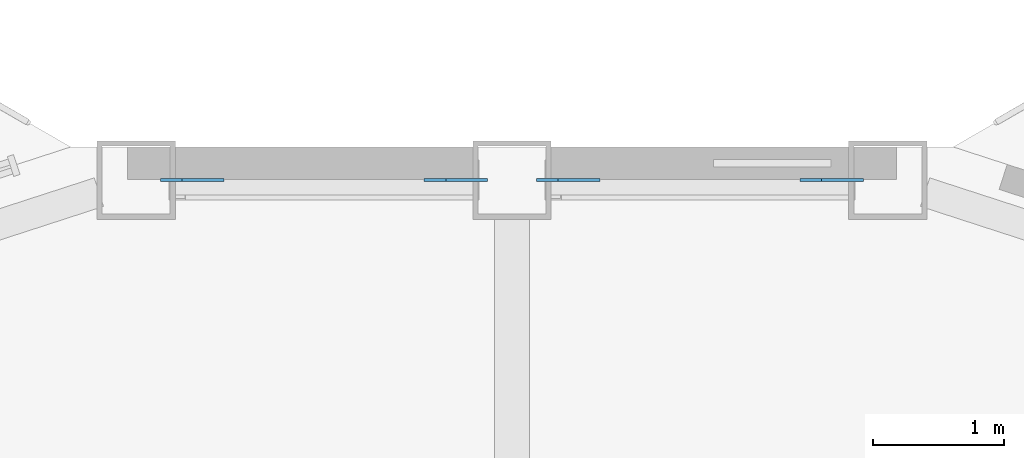
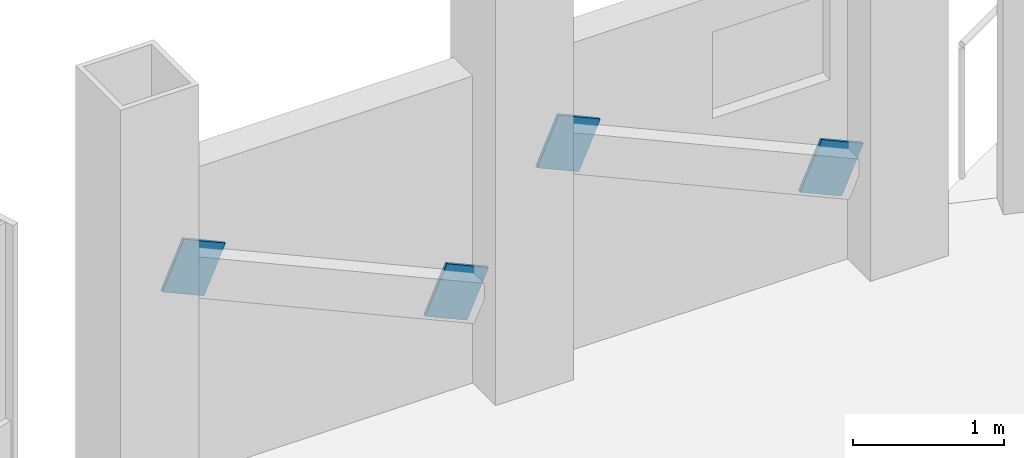
# One storey, part 22 of 27: 4 discrete accessories.
"""IFC4 building model written with IfcOpenShell, lengths in metres."""

from ifc_helpers import new_model, si_unit, direction, frame, origin, origin_2d, place, context, subcontext, project, spatial, rectangle, extrude, material, material_profile, profile_set, type_object, element, save


model = new_model("IFC4")

# Units and contexts
model_context = context("Model", 3, precision=1e-05, world=origin(), true_north=direction((0.0, 1.0)))
body_context = subcontext(model_context, "Body", "Model", "MODEL_VIEW")
ifc_project = project(units=[si_unit("LENGTHUNIT", "METRE"), si_unit("AREAUNIT", "SQUARE_METRE"), si_unit("VOLUMEUNIT", "CUBIC_METRE"), si_unit("PLANEANGLEUNIT", "RADIAN"), si_unit("MASSUNIT", "GRAM", prefix="KILO")], contexts=[model_context])

# Site, building, storey
site_placement = place(None, origin())
site = spatial("IfcSite", under=ifc_project, at=site_placement, CompositionType="ELEMENT")
building_placement = place(site_placement, origin())
building = spatial("IfcBuilding", under=site, at=building_placement, Name="Cormorant Prow Tower", CompositionType="ELEMENT")
storey_placement = place(building_placement, frame((0.0, 0.0, 318.800048828125)))
storey = spatial("IfcBuildingStorey", under=building, at=storey_placement, Name="L70", CompositionType="ELEMENT", Elevation=318.800048828125)

# Discrete accessories
ifc_material = material(Name="Structural steel ASTM A500 Gr C", Category="steel")
ifc_material_profile = material_profile(ifc_material, rectangle(XDim=0.02490234375, YDim=0.405029296875, at=origin_2d()), Name="Gusset plate 25x405")
ifc_profile_set = profile_set([ifc_material_profile], Name="Structural steel ASTM A500 Gr C")
discrete_accessory_type = type_object("IfcDiscreteAccessoryType", Name="Gusset plate 25x405", PredefinedType="BRACKET", material=ifc_profile_set)
for number, where, z_axis, x_axis, name in (
    (1, (2.28515625, 31.676025390625, 0.86376953125), (0.912599106234, 0.0, -0.408855562884), (0.0, 1.0, 0.0), "Gusset plate GP3 L70.N00.g0"),
    (2, (0.588623046875, 31.676025390625, 1.6240234375), (-0.912599106234, 0.0, 0.408855562884), (0.0, -1.0, 0.0), "Gusset plate GP3 L70.N00.g1"),
    (3, (-0.588623046875, 31.676025390625, 0.86376953125), (0.912599106234, 0.0, -0.408855562884), (0.0, 1.0, 0.0), "Gusset plate GP3 L70.N01.g0"),
    (4, (-2.28515625, 31.676025390625, 1.6240234375), (-0.912599106234, 0.0, 0.408855562884), (0.0, -1.0, 0.0), "Gusset plate GP3 L70.N01.g1"),
):
    element("IfcDiscreteAccessory", number, at=place(storey_placement, frame(where, z_axis=z_axis, x_axis=x_axis)), inside=storey, type_object=discrete_accessory_type, Name=name, PredefinedType="BRACKET", context=body_context, shape_type="SweptSolid", body=[
        extrude(rectangle(XDim=0.02490234375, YDim=0.405029296875, at=origin_2d()), origin(), (0.0, 0.0, 1.0), 0.349853515625),
    ])

save(model, "model.ifc")
